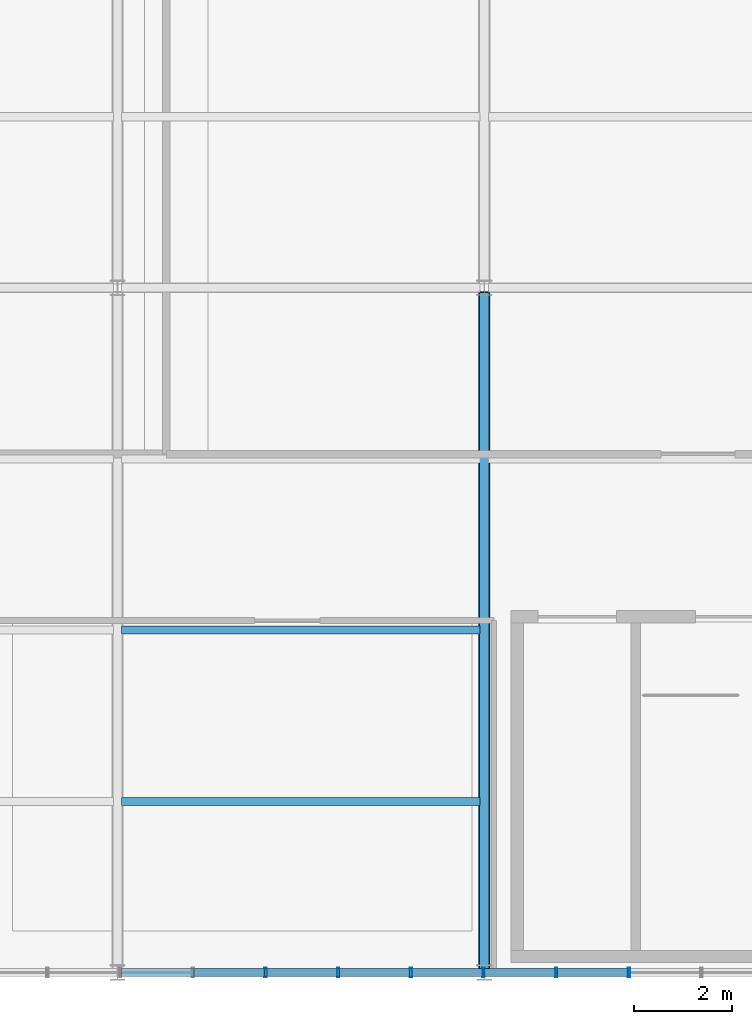
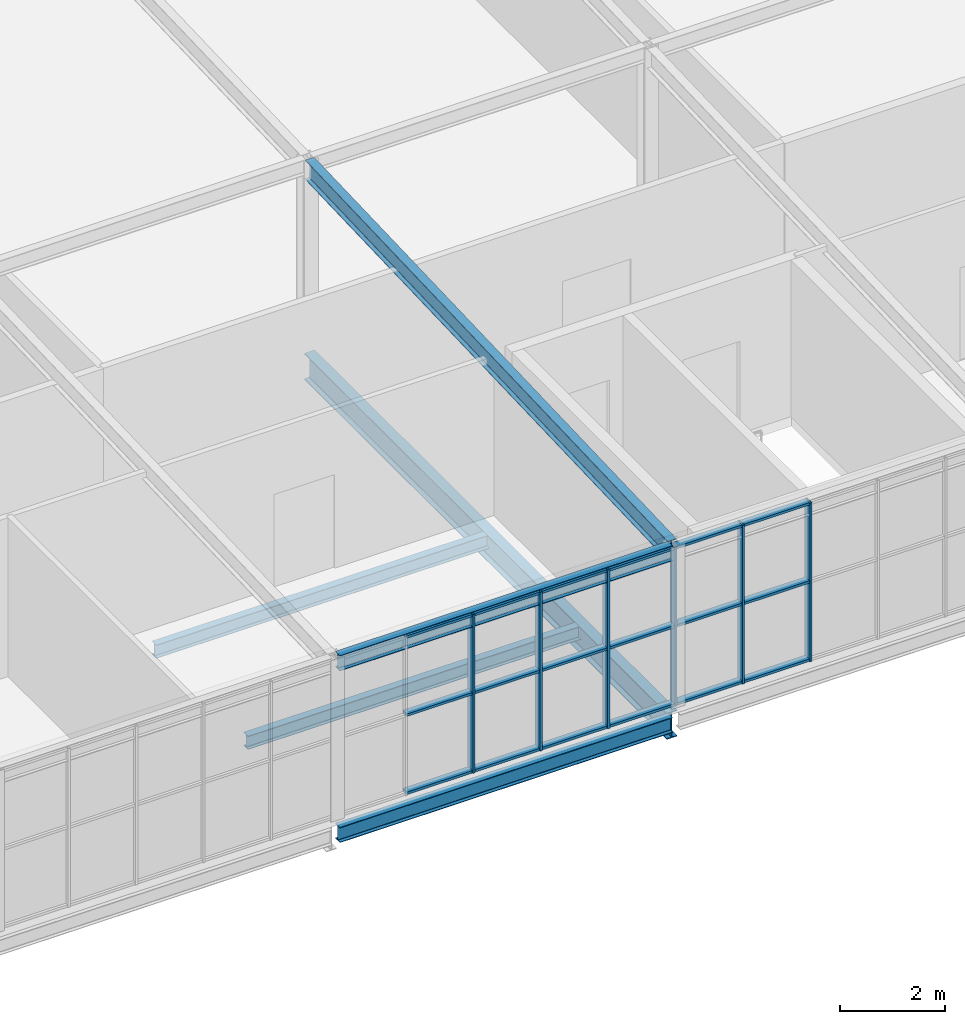
# One storey, part 13 of 27: 24 members, 6 beams, 1 element without a shape of its own.
"""IFC4 building model written with IfcOpenShell, lengths in metres."""

from ifc_helpers import new_model, si_unit, direction, frame, origin, origin_2d, place, context, subcontext, project, spatial, hollow_rectangle, i_section, extrude, material, layer, layer_set, material_profile, profile_set, type_object, element, aggregate, save


model = new_model("IFC4")

# Units and contexts
model_context = context("Model", 3, precision=1e-05, world=origin(), true_north=direction((0.0, 1.0)))
body_context = subcontext(model_context, "Body", "Model", "MODEL_VIEW")
ifc_project = project(units=[si_unit("LENGTHUNIT", "METRE"), si_unit("AREAUNIT", "SQUARE_METRE"), si_unit("VOLUMEUNIT", "CUBIC_METRE"), si_unit("PLANEANGLEUNIT", "RADIAN"), si_unit("MASSUNIT", "GRAM", prefix="KILO")], contexts=[model_context])

# Site, building, storey
site_placement = place(None, origin())
site = spatial("IfcSite", under=ifc_project, at=site_placement, CompositionType="ELEMENT")
building_placement = place(site_placement, origin())
building = spatial("IfcBuilding", under=site, at=building_placement, Name="Solvenia Promenade Tram Depot", CompositionType="ELEMENT")
storey_placement = place(building_placement, frame((0.0, 0.0, 13.5)))
storey = spatial("IfcBuildingStorey", under=building, at=storey_placement, Name="L03", CompositionType="ELEMENT", Elevation=13.5)

# Beam
ifc_material_1 = material(Name="Structural steel ASTM A992 Gr. 50", Category="steel")
ifc_material_profile_1 = material_profile(ifc_material_1, i_section(OverallWidth=0.19091796875, OverallDepth=0.4599609375, WebThickness=0.010009765625, FlangeThickness=0.01611328125, FilletRadius=0.012939453125, at=origin_2d()), Name="W460x82", Category="steel")
ifc_profile_set_1 = profile_set([ifc_material_profile_1], Name="Structural steel ASTM A992 Gr. 50")
beam_type_1 = type_object("IfcBeamType", Name="Beam-W460x82", PredefinedType="BEAM", material=ifc_profile_set_1)
beam_1_placement = place(storey_placement, frame((142.5, 38.0849609375, 3.530029296875), z_axis=(0.0, 0.999347117137, 0.036129481992), x_axis=(-1.0, 0.0, 0.0)))
element("IfcBeam", 1, at=beam_1_placement, inside=storey, type_object=beam_type_1, Name="Control Hub Sloped Rafter BM-L03-0885", PredefinedType="BEAM", context=body_context, shape_type="SweptSolid", body=[
    extrude(i_section(OverallWidth=0.19091796875, OverallDepth=0.4599609375, WebThickness=0.010009765625, FlangeThickness=0.01611328125, FilletRadius=0.012939453125, at=origin_2d()), origin(), (0.0, 0.0, 1.0), 13.839111328125),
])

# Curtain wall, members
ifc_material_2 = material(Name="Anodized aluminium AW-6063 T6", Category="aluminium")
ifc_layer = layer(ifc_material_2, 0.199951171875, Name="Anodized aluminium AW-6063 T6", Category="aluminium")
ifc_layer_set = layer_set([ifc_layer], Name="Anodized aluminium AW-6063 T6")
curtain_wall_type = type_object("IfcCurtainWallType", Name="CW-OCC-1500", PredefinedType="NOTDEFINED", material=ifc_layer_set)
curtain_wall_placement = place(storey_placement, origin())
curtain_wall = element("IfcCurtainWall", 2, at=curtain_wall_placement, inside=storey, type_object=curtain_wall_type, Name="Curtain Wall CW-L03-V2S", PredefinedType="NOTDEFINED")
ifc_material_profile_2 = material_profile(ifc_material_2, hollow_rectangle(XDim=0.199951171875, YDim=0.048095703125, WallThickness=0.00390625, at=origin_2d()), Name="ALU-M3", Category="aluminium")
ifc_profile_set_2 = profile_set([ifc_material_profile_2], Name="Anodized aluminium AW-6063 T6")
member_type_1 = type_object("IfcMemberType", Name="CWM-Mullion-3", PredefinedType="MULLION", material=ifc_profile_set_2)
member_1_placement = place(storey_placement, frame((138.028564453125, 38.0, 0.0), z_axis=(0.0, 0.0, 1.0), x_axis=(0.0, 1.0, 0.0)))
member_1 = element("IfcMember", 3, at=member_1_placement, type_object=member_type_1, Name="CW-8 mullion 13", PredefinedType="MULLION", context=body_context, shape_type="SweptSolid", body=[
    extrude(hollow_rectangle(XDim=0.199951171875, YDim=0.048095703125, WallThickness=0.00390625, at=origin_2d()), origin(), (0.0, 0.0, 1.0), 3.699951171875),
])
member_2_placement = place(storey_placement, frame((139.514404296875, 38.0, 0.0), z_axis=(0.0, 0.0, 1.0), x_axis=(0.0, 1.0, 0.0)))
member_2 = element("IfcMember", 4, at=member_2_placement, type_object=member_type_1, Name="CW-8 mullion 14", PredefinedType="MULLION", context=body_context, shape_type="SweptSolid", body=[
    extrude(hollow_rectangle(XDim=0.199951171875, YDim=0.048095703125, WallThickness=0.00390625, at=origin_2d()), origin(), (0.0, 0.0, 1.0), 3.699951171875),
])
member_3_placement = place(storey_placement, frame((141.0, 38.0, 0.0), z_axis=(0.0, 0.0, 1.0), x_axis=(0.0, 1.0, 0.0)))
member_3 = element("IfcMember", 5, at=member_3_placement, type_object=member_type_1, Name="CW-8 mullion 15", PredefinedType="MULLION", context=body_context, shape_type="SweptSolid", body=[
    extrude(hollow_rectangle(XDim=0.199951171875, YDim=0.048095703125, WallThickness=0.00390625, at=origin_2d()), origin(), (0.0, 0.0, 1.0), 3.699951171875),
])
member_4_placement = place(storey_placement, frame((142.485595703125, 38.0, 0.0), z_axis=(0.0, 0.0, 1.0), x_axis=(0.0, 1.0, 0.0)))
member_4 = element("IfcMember", 6, at=member_4_placement, type_object=member_type_1, Name="CW-8 mullion 16", PredefinedType="MULLION", context=body_context, shape_type="SweptSolid", body=[
    extrude(hollow_rectangle(XDim=0.199951171875, YDim=0.048095703125, WallThickness=0.00390625, at=origin_2d()), origin(), (0.0, 0.0, 1.0), 3.699951171875),
])
member_5_placement = place(storey_placement, frame((143.971435546875, 38.0, 0.0), z_axis=(0.0, 0.0, 1.0), x_axis=(0.0, 1.0, 0.0)))
member_5 = element("IfcMember", 7, at=member_5_placement, type_object=member_type_1, Name="CW-8 mullion 17", PredefinedType="MULLION", context=body_context, shape_type="SweptSolid", body=[
    extrude(hollow_rectangle(XDim=0.199951171875, YDim=0.048095703125, WallThickness=0.00390625, at=origin_2d()), origin(), (0.0, 0.0, 1.0), 3.699951171875),
])
member_6_placement = place(storey_placement, frame((145.45703125, 38.0, 0.0), z_axis=(0.0, 0.0, 1.0), x_axis=(0.0, 1.0, 0.0)))
member_6 = element("IfcMember", 8, at=member_6_placement, type_object=member_type_1, Name="CW-8 mullion 18", PredefinedType="MULLION", context=body_context, shape_type="SweptSolid", body=[
    extrude(hollow_rectangle(XDim=0.199951171875, YDim=0.048095703125, WallThickness=0.00390625, at=origin_2d()), origin(), (0.0, 0.0, 1.0), 3.699951171875),
])
ifc_material_profile_3 = material_profile(ifc_material_2, hollow_rectangle(XDim=0.159912109375, YDim=0.05810546875, WallThickness=0.00390625, at=origin_2d()), Name="ALU-T3", Category="aluminium")
ifc_profile_set_3 = profile_set([ifc_material_profile_3], Name="Anodized aluminium AW-6063 T6")
member_type_2 = type_object("IfcMemberType", Name="CWT-Transom-3", PredefinedType="USERDEFINED", material=ifc_profile_set_3)
member_7_placement = place(storey_placement, frame((136.56689453125, 38.0, 0.029052734375), z_axis=(1.0, 0.0, 0.0), x_axis=(0.0, 1.0, 0.0)))
member_7 = element("IfcMember", 9, at=member_7_placement, type_object=member_type_2, Name="CW-8 transom 12.1", ObjectType="TRANSOM", PredefinedType="USERDEFINED", context=body_context, shape_type="SweptSolid", body=[
    extrude(hollow_rectangle(XDim=0.159912109375, YDim=0.05810546875, WallThickness=0.00390625, at=origin_2d()), origin(), (0.0, 0.0, 1.0), 1.437744140625),
])
member_8_placement = place(storey_placement, frame((136.56689453125, 38.0, 1.85009765625), z_axis=(1.0, 0.0, 0.0), x_axis=(0.0, 1.0, 0.0)))
member_8 = element("IfcMember", 10, at=member_8_placement, type_object=member_type_2, Name="CW-8 transom 12.2", ObjectType="TRANSOM", PredefinedType="USERDEFINED", context=body_context, shape_type="SweptSolid", body=[
    extrude(hollow_rectangle(XDim=0.159912109375, YDim=0.05810546875, WallThickness=0.00390625, at=origin_2d()), origin(), (0.0, 0.0, 1.0), 1.437744140625),
])
member_9_placement = place(storey_placement, frame((136.56689453125, 38.0, 3.6708984375), z_axis=(1.0, 0.0, 0.0), x_axis=(0.0, 1.0, 0.0)))
member_9 = element("IfcMember", 11, at=member_9_placement, type_object=member_type_2, Name="CW-8 transom 12.3", ObjectType="TRANSOM", PredefinedType="USERDEFINED", context=body_context, shape_type="SweptSolid", body=[
    extrude(hollow_rectangle(XDim=0.159912109375, YDim=0.05810546875, WallThickness=0.00390625, at=origin_2d()), origin(), (0.0, 0.0, 1.0), 1.437744140625),
])
member_10_placement = place(storey_placement, frame((138.052490234375, 38.0, 0.029052734375), z_axis=(1.0, 0.0, 0.0), x_axis=(0.0, 1.0, 0.0)))
member_10 = element("IfcMember", 12, at=member_10_placement, type_object=member_type_2, Name="CW-8 transom 13.1", ObjectType="TRANSOM", PredefinedType="USERDEFINED", context=body_context, shape_type="SweptSolid", body=[
    extrude(hollow_rectangle(XDim=0.159912109375, YDim=0.05810546875, WallThickness=0.00390625, at=origin_2d()), origin(), (0.0, 0.0, 1.0), 1.437744140625),
])
member_11_placement = place(storey_placement, frame((138.052490234375, 38.0, 1.85009765625), z_axis=(1.0, 0.0, 0.0), x_axis=(0.0, 1.0, 0.0)))
member_11 = element("IfcMember", 13, at=member_11_placement, type_object=member_type_2, Name="CW-8 transom 13.2", ObjectType="TRANSOM", PredefinedType="USERDEFINED", context=body_context, shape_type="SweptSolid", body=[
    extrude(hollow_rectangle(XDim=0.159912109375, YDim=0.05810546875, WallThickness=0.00390625, at=origin_2d()), origin(), (0.0, 0.0, 1.0), 1.437744140625),
])
member_12_placement = place(storey_placement, frame((138.052490234375, 38.0, 3.6708984375), z_axis=(1.0, 0.0, 0.0), x_axis=(0.0, 1.0, 0.0)))
member_12 = element("IfcMember", 14, at=member_12_placement, type_object=member_type_2, Name="CW-8 transom 13.3", ObjectType="TRANSOM", PredefinedType="USERDEFINED", context=body_context, shape_type="SweptSolid", body=[
    extrude(hollow_rectangle(XDim=0.159912109375, YDim=0.05810546875, WallThickness=0.00390625, at=origin_2d()), origin(), (0.0, 0.0, 1.0), 1.437744140625),
])
member_13_placement = place(storey_placement, frame((139.538330078125, 38.0, 0.029052734375), z_axis=(1.0, 0.0, 0.0), x_axis=(0.0, 1.0, 0.0)))
member_13 = element("IfcMember", 15, at=member_13_placement, type_object=member_type_2, Name="CW-8 transom 14.1", ObjectType="TRANSOM", PredefinedType="USERDEFINED", context=body_context, shape_type="SweptSolid", body=[
    extrude(hollow_rectangle(XDim=0.159912109375, YDim=0.05810546875, WallThickness=0.00390625, at=origin_2d()), origin(), (0.0, 0.0, 1.0), 1.437744140625),
])
member_14_placement = place(storey_placement, frame((139.538330078125, 38.0, 1.85009765625), z_axis=(1.0, 0.0, 0.0), x_axis=(0.0, 1.0, 0.0)))
member_14 = element("IfcMember", 16, at=member_14_placement, type_object=member_type_2, Name="CW-8 transom 14.2", ObjectType="TRANSOM", PredefinedType="USERDEFINED", context=body_context, shape_type="SweptSolid", body=[
    extrude(hollow_rectangle(XDim=0.159912109375, YDim=0.05810546875, WallThickness=0.00390625, at=origin_2d()), origin(), (0.0, 0.0, 1.0), 1.437744140625),
])
member_15_placement = place(storey_placement, frame((139.538330078125, 38.0, 3.6708984375), z_axis=(1.0, 0.0, 0.0), x_axis=(0.0, 1.0, 0.0)))
member_15 = element("IfcMember", 17, at=member_15_placement, type_object=member_type_2, Name="CW-8 transom 14.3", ObjectType="TRANSOM", PredefinedType="USERDEFINED", context=body_context, shape_type="SweptSolid", body=[
    extrude(hollow_rectangle(XDim=0.159912109375, YDim=0.05810546875, WallThickness=0.00390625, at=origin_2d()), origin(), (0.0, 0.0, 1.0), 1.437744140625),
])
member_16_placement = place(storey_placement, frame((141.02392578125, 38.0, 0.029052734375), z_axis=(1.0, 0.0, 0.0), x_axis=(0.0, 1.0, 0.0)))
member_16 = element("IfcMember", 18, at=member_16_placement, type_object=member_type_2, Name="CW-8 transom 15.1", ObjectType="TRANSOM", PredefinedType="USERDEFINED", context=body_context, shape_type="SweptSolid", body=[
    extrude(hollow_rectangle(XDim=0.159912109375, YDim=0.05810546875, WallThickness=0.00390625, at=origin_2d()), origin(), (0.0, 0.0, 1.0), 1.437744140625),
])
member_17_placement = place(storey_placement, frame((141.02392578125, 38.0, 1.85009765625), z_axis=(1.0, 0.0, 0.0), x_axis=(0.0, 1.0, 0.0)))
member_17 = element("IfcMember", 19, at=member_17_placement, type_object=member_type_2, Name="CW-8 transom 15.2", ObjectType="TRANSOM", PredefinedType="USERDEFINED", context=body_context, shape_type="SweptSolid", body=[
    extrude(hollow_rectangle(XDim=0.159912109375, YDim=0.05810546875, WallThickness=0.00390625, at=origin_2d()), origin(), (0.0, 0.0, 1.0), 1.437744140625),
])
member_18_placement = place(storey_placement, frame((141.02392578125, 38.0, 3.6708984375), z_axis=(1.0, 0.0, 0.0), x_axis=(0.0, 1.0, 0.0)))
member_18 = element("IfcMember", 20, at=member_18_placement, type_object=member_type_2, Name="CW-8 transom 15.3", ObjectType="TRANSOM", PredefinedType="USERDEFINED", context=body_context, shape_type="SweptSolid", body=[
    extrude(hollow_rectangle(XDim=0.159912109375, YDim=0.05810546875, WallThickness=0.00390625, at=origin_2d()), origin(), (0.0, 0.0, 1.0), 1.437744140625),
])
member_19_placement = place(storey_placement, frame((142.509765625, 38.0, 0.029052734375), z_axis=(1.0, 0.0, 0.0), x_axis=(0.0, 1.0, 0.0)))
member_19 = element("IfcMember", 21, at=member_19_placement, type_object=member_type_2, Name="CW-8 transom 16.1", ObjectType="TRANSOM", PredefinedType="USERDEFINED", context=body_context, shape_type="SweptSolid", body=[
    extrude(hollow_rectangle(XDim=0.159912109375, YDim=0.05810546875, WallThickness=0.00390625, at=origin_2d()), origin(), (0.0, 0.0, 1.0), 1.437744140625),
])
member_20_placement = place(storey_placement, frame((142.509765625, 38.0, 1.85009765625), z_axis=(1.0, 0.0, 0.0), x_axis=(0.0, 1.0, 0.0)))
member_20 = element("IfcMember", 22, at=member_20_placement, type_object=member_type_2, Name="CW-8 transom 16.2", ObjectType="TRANSOM", PredefinedType="USERDEFINED", context=body_context, shape_type="SweptSolid", body=[
    extrude(hollow_rectangle(XDim=0.159912109375, YDim=0.05810546875, WallThickness=0.00390625, at=origin_2d()), origin(), (0.0, 0.0, 1.0), 1.437744140625),
])
member_21_placement = place(storey_placement, frame((142.509765625, 38.0, 3.6708984375), z_axis=(1.0, 0.0, 0.0), x_axis=(0.0, 1.0, 0.0)))
member_21 = element("IfcMember", 23, at=member_21_placement, type_object=member_type_2, Name="CW-8 transom 16.3", ObjectType="TRANSOM", PredefinedType="USERDEFINED", context=body_context, shape_type="SweptSolid", body=[
    extrude(hollow_rectangle(XDim=0.159912109375, YDim=0.05810546875, WallThickness=0.00390625, at=origin_2d()), origin(), (0.0, 0.0, 1.0), 1.437744140625),
])
member_22_placement = place(storey_placement, frame((143.995361328125, 38.0, 0.029052734375), z_axis=(1.0, 0.0, 0.0), x_axis=(0.0, 1.0, 0.0)))
member_22 = element("IfcMember", 24, at=member_22_placement, type_object=member_type_2, Name="CW-8 transom 17.1", ObjectType="TRANSOM", PredefinedType="USERDEFINED", context=body_context, shape_type="SweptSolid", body=[
    extrude(hollow_rectangle(XDim=0.159912109375, YDim=0.05810546875, WallThickness=0.00390625, at=origin_2d()), origin(), (0.0, 0.0, 1.0), 1.437744140625),
])
member_23_placement = place(storey_placement, frame((143.995361328125, 38.0, 1.85009765625), z_axis=(1.0, 0.0, 0.0), x_axis=(0.0, 1.0, 0.0)))
member_23 = element("IfcMember", 25, at=member_23_placement, type_object=member_type_2, Name="CW-8 transom 17.2", ObjectType="TRANSOM", PredefinedType="USERDEFINED", context=body_context, shape_type="SweptSolid", body=[
    extrude(hollow_rectangle(XDim=0.159912109375, YDim=0.05810546875, WallThickness=0.00390625, at=origin_2d()), origin(), (0.0, 0.0, 1.0), 1.437744140625),
])
member_24_placement = place(storey_placement, frame((143.995361328125, 38.0, 3.6708984375), z_axis=(1.0, 0.0, 0.0), x_axis=(0.0, 1.0, 0.0)))
member_24 = element("IfcMember", 26, at=member_24_placement, type_object=member_type_2, Name="CW-8 transom 17.3", ObjectType="TRANSOM", PredefinedType="USERDEFINED", context=body_context, shape_type="SweptSolid", body=[
    extrude(hollow_rectangle(XDim=0.159912109375, YDim=0.05810546875, WallThickness=0.00390625, at=origin_2d()), origin(), (0.0, 0.0, 1.0), 1.437744140625),
])
aggregate(curtain_wall, [member_1, member_2, member_3, member_4, member_5, member_6, member_7, member_8, member_9, member_10, member_11, member_12, member_13, member_14, member_15, member_16, member_17, member_18, member_19, member_20, member_21, member_22, member_23, member_24])

# Beams
ifc_material_profile_4 = material_profile(ifc_material_1, i_section(OverallWidth=0.22900390625, OverallDepth=0.612060546875, WebThickness=0.011962890625, FlangeThickness=0.01953125, FilletRadius=0.014892578125, at=origin_2d()), Name="W610x125", Category="steel")
ifc_profile_set_4 = profile_set([ifc_material_profile_4], Name="Structural steel ASTM A992 Gr. 50")
beam_type_2 = type_object("IfcBeamType", Name="Gird-W610x125", PredefinedType="BEAM", material=ifc_profile_set_4)
beam_2_placement = place(storey_placement, frame((142.5, 38.0849609375, -0.5458984375), z_axis=(0.0, 1.0, 0.0), x_axis=(-1.0, 0.0, 0.0)))
element("IfcBeam", 27, at=beam_2_placement, inside=storey, type_object=beam_type_2, Name="Transverse Girder BM-L03-0616", PredefinedType="BEAM", context=body_context, shape_type="SweptSolid", body=[
    extrude(i_section(OverallWidth=0.22900390625, OverallDepth=0.612060546875, WebThickness=0.011962890625, FlangeThickness=0.01953125, FilletRadius=0.014892578125, at=origin_2d()), origin(), (0.0, 0.0, 1.0), 13.830078125),
])
ifc_material_profile_5 = material_profile(ifc_material_1, i_section(OverallWidth=0.166015625, OverallDepth=0.31298828125, WebThickness=0.006591796875, FlangeThickness=0.01123046875, FilletRadius=0.010009765625, at=origin_2d()), Name="W310x45", Category="steel")
ifc_profile_set_5 = profile_set([ifc_material_profile_5], Name="Structural steel ASTM A992 Gr. 50")
beam_type_3 = type_object("IfcBeamType", Name="Joist-W310x45", PredefinedType="JOIST", material=ifc_profile_set_5)
for number, where, z_axis, x_axis, name in (
    (28, (135.0849609375, 41.5, -0.396484375), (1.0, 0.0, 0.0), (0.0, 1.0, 0.0), "Secondary Floor Joist BM-L03-0634"),
    (29, (135.0849609375, 45.0, -0.396484375), (1.0, 0.0, 0.0), (0.0, 1.0, 0.0), "Secondary Floor Joist BM-L03-0635"),
):
    element("IfcBeam", number, at=place(storey_placement, frame(where, z_axis=z_axis, x_axis=x_axis)), inside=storey, type_object=beam_type_3, Name=name, PredefinedType="JOIST", context=body_context, shape_type="SweptSolid", body=[
        extrude(i_section(OverallWidth=0.166015625, OverallDepth=0.31298828125, WebThickness=0.006591796875, FlangeThickness=0.01123046875, FilletRadius=0.010009765625, at=origin_2d()), origin(), (0.0, 0.0, 1.0), 7.330078125),
    ])
ifc_material_profile_6 = material_profile(ifc_material_1, i_section(OverallWidth=0.172119140625, OverallDepth=0.35791015625, WebThickness=0.0078125, FlangeThickness=0.01318359375, FilletRadius=0.010986328125, at=origin_2d()), Name="W360x57", Category="steel")
ifc_profile_set_6 = profile_set([ifc_material_profile_6], Name="Structural steel ASTM A992 Gr. 50")
beam_type_4 = type_object("IfcBeamType", Name="Spandrel-W360x57", PredefinedType="SPANDREL", material=ifc_profile_set_6)
for number, where, z_axis, x_axis, name in (
    (30, (135.0849609375, 38.0, -0.4189453125), (1.0, 0.0, 0.0), (0.0, 1.0, 0.0), "Perimeter Spandrel BM-L03-0597"),
    (31, (135.0849609375, 38.0, 3.5810546875), (1.0, 0.0, 0.0), (0.0, 1.0, 0.0), "Control Hub Roof Girder BM-L03-0897"),
):
    element("IfcBeam", number, at=place(storey_placement, frame(where, z_axis=z_axis, x_axis=x_axis)), inside=storey, type_object=beam_type_4, Name=name, PredefinedType="SPANDREL", context=body_context, shape_type="SweptSolid", body=[
        extrude(i_section(OverallWidth=0.172119140625, OverallDepth=0.35791015625, WebThickness=0.0078125, FlangeThickness=0.01318359375, FilletRadius=0.010986328125, at=origin_2d()), origin(), (0.0, 0.0, 1.0), 7.330078125),
    ])

save(model, "model.ifc")
